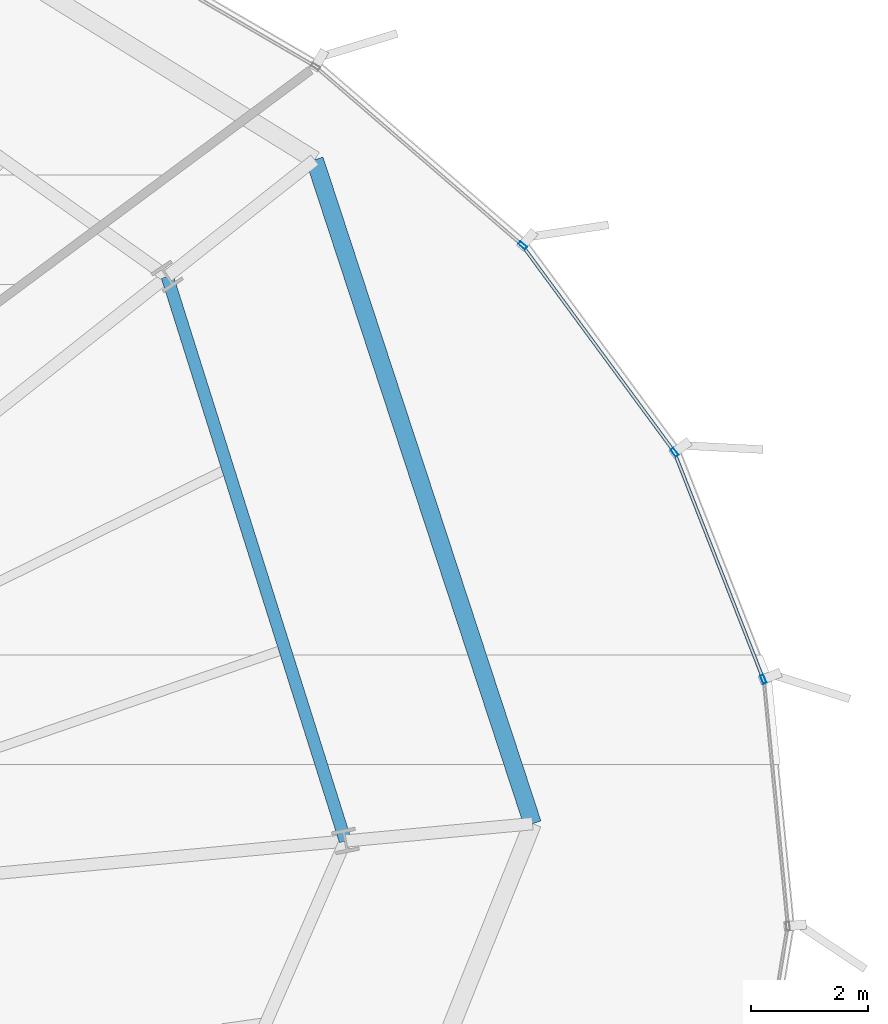
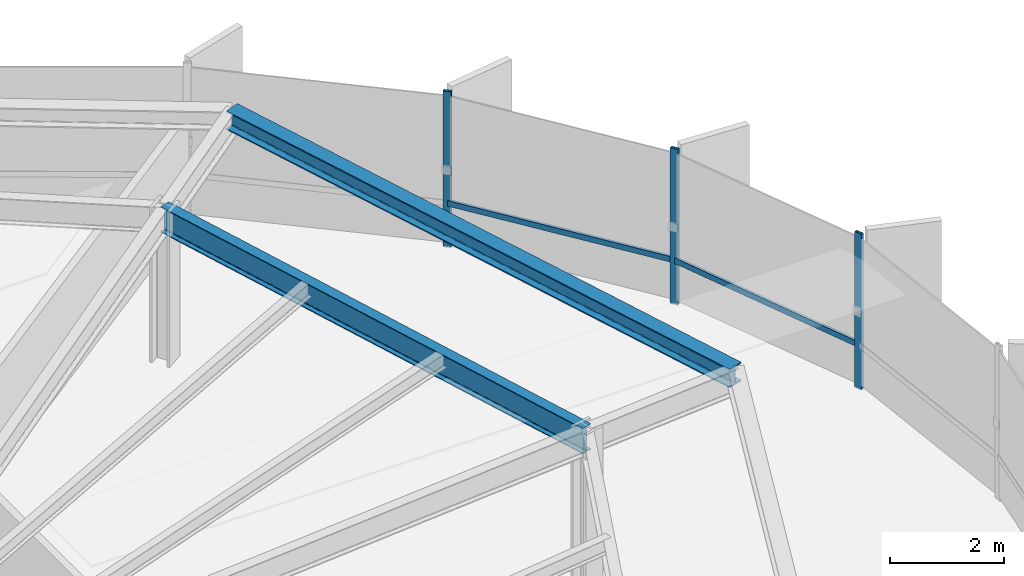
# One storey, part 25 of 35: 5 members, 2 beams, 1 element without a shape of its own.
"""IFC4 building model written with IfcOpenShell, lengths in metres."""

from ifc_helpers import new_model, si_unit, direction, frame, origin, origin_2d, place, context, subcontext, project, spatial, hollow_rectangle, i_section, extrude, source, transform, mapped, material, layer, layer_set, material_profile, profile_set, type_object, element, aggregate, save


model = new_model("IFC4")

# Units and contexts
model_context = context("Model", 3, precision=1e-05, world=origin(), true_north=direction((0.0, 1.0)))
body_context = subcontext(model_context, "Body", "Model", "MODEL_VIEW")
ifc_project = project(units=[si_unit("LENGTHUNIT", "METRE"), si_unit("AREAUNIT", "SQUARE_METRE"), si_unit("VOLUMEUNIT", "CUBIC_METRE"), si_unit("PLANEANGLEUNIT", "RADIAN"), si_unit("MASSUNIT", "GRAM", prefix="KILO"), si_unit("THERMODYNAMICTEMPERATUREUNIT", "KELVIN")], contexts=[model_context])

# Site, building, storey
site_placement = place(None, origin())
site = spatial("IfcSite", under=ifc_project, at=site_placement, CompositionType="ELEMENT")
building_placement = place(site_placement, origin())
building = spatial("IfcBuilding", under=site, at=building_placement, Name="Kethvar Cultural Tower", CompositionType="ELEMENT")
storey_placement = place(building_placement, frame((0.0, 0.0, 89.199951171875)))
storey = spatial("IfcBuildingStorey", under=building, at=storey_placement, Name="L21", CompositionType="ELEMENT", Elevation=89.199951171875)

# Beams
ifc_material_1 = material(Name="Steel S355J2", Category="steel")
ifc_material_profile_1 = material_profile(ifc_material_1, i_section(OverallWidth=0.2099609375, OverallDepth=0.550048828125, WebThickness=0.010986328125, FlangeThickness=0.01708984375, FilletRadius=0.02392578125, at=origin_2d()), Name="Steel S355J2 — IPE550")
ifc_profile_set_1 = profile_set([ifc_material_profile_1], Name="Steel S355J2 — IPE550")
beam_type_1 = type_object("IfcBeamType", Name="BM-IPE550", PredefinedType="BEAM", material=ifc_profile_set_1)
shared_shape_1 = source(origin(), body_context, "Body", "SweptSolid", [
    extrude(i_section(OverallWidth=0.2099609375, OverallDepth=0.550048828125, WebThickness=0.010986328125, FlangeThickness=0.01708984375, FilletRadius=0.02392578125, at=origin_2d()), origin(), (0.0, 0.0, 1.0), 10.079345703125),
])
beam_1_placement = place(storey_placement, frame((71.6025390625, 32.7333984375, 3.072998046875), z_axis=(-0.301007326566, 0.953621827222, 0.0), x_axis=(-0.953621827222, -0.301007326566, 0.0)))
element("IfcBeam", 1, at=beam_1_placement, inside=storey, type_object=beam_type_1, Name="L21 Column Ring Tie Beam CR-01", PredefinedType="BEAM", context=body_context, shape_type="MappedRepresentation", body=[
    mapped(shared_shape_1, transform((0.0, 0.0, 0.0), scale=1.0)),
])
ifc_material_profile_2 = material_profile(ifc_material_1, i_section(OverallWidth=0.300048828125, OverallDepth=0.39990234375, WebThickness=0.013427734375, FlangeThickness=0.02392578125, FilletRadius=0.027099609375, at=origin_2d()), Name="Steel S355J2 — HEB400")
ifc_profile_set_2 = profile_set([ifc_material_profile_2], Name="Steel S355J2 — HEB400")
beam_type_2 = type_object("IfcBeamType", Name="BM-SP400", PredefinedType="SPANDREL", material=ifc_profile_set_2)
shared_shape_2 = source(origin(), body_context, "Body", "SweptSolid", [
    extrude(i_section(OverallWidth=0.300048828125, OverallDepth=0.39990234375, WebThickness=0.013427734375, FlangeThickness=0.02392578125, FilletRadius=0.027099609375, at=origin_2d()), origin(), (0.0, 0.0, 1.0), 11.8935546875),
])
beam_2_placement = place(storey_placement, frame((74.788818359375, 33.02880859375, 3.14794921875), z_axis=(-0.311870604739, 0.95012458441, 0.0), x_axis=(-0.95012458441, -0.311870604739, 0.0)))
element("IfcBeam", 2, at=beam_2_placement, inside=storey, type_object=beam_type_2, Name="L21 Perimeter Spandrel Beam SP-01", PredefinedType="SPANDREL", context=body_context, shape_type="MappedRepresentation", body=[
    mapped(shared_shape_2, transform((0.0, 0.0, 0.0), scale=1.0)),
])

# Curtain wall, members
ifc_material_2 = material(Name="Aluminium 6063-T6", Category="aluminium")
ifc_layer = layer(ifc_material_2, 0.179931640625, Name="Aluminium 6063-T6", Category="aluminium")
ifc_layer_set = layer_set([ifc_layer], Name="Aluminium 6063-T6 (180 mm)")
curtain_wall_type = type_object("IfcCurtainWallType", Name="CW-SYS-03-Z2", PredefinedType="NOTDEFINED", material=ifc_layer_set)
curtain_wall_placement = place(storey_placement, origin())
curtain_wall = element("IfcCurtainWall", 3, at=curtain_wall_placement, inside=storey, type_object=curtain_wall_type, Name="L21 Curtain Wall Run 01", PredefinedType="NOTDEFINED")
ifc_material_profile_3 = material_profile(ifc_material_2, hollow_rectangle(XDim=0.06005859375, YDim=0.14990234375, WallThickness=0.0048828125, at=origin_2d()), Name="Aluminium 6063-T6 — RHS150x60x5")
ifc_profile_set_3 = profile_set([ifc_material_profile_3], Name="Aluminium 6063-T6 — RHS150x60x5")
member_type_1 = type_object("IfcMemberType", Name="CW-SYS-03-Z2-MUL", PredefinedType="MULLION", material=ifc_profile_set_3)
shared_shape_3 = source(origin(), body_context, "Body", "SweptSolid", [
    extrude(hollow_rectangle(XDim=0.06005859375, YDim=0.14990234375, WallThickness=0.0048828125, at=origin_2d()), origin(), (0.0, 0.0, 1.0), 3.35009765625),
])
member_1_placement = place(storey_placement, frame((78.71875, 35.486328125, 0.0), z_axis=(0.0, 0.0, 1.0), x_axis=(-0.930941140496, -0.365169266138, 0.0)))
member_1 = element("IfcMember", 4, at=member_1_placement, type_object=member_type_1, Name="CW-L21-R01 Mullion 1", PredefinedType="MULLION", context=body_context, shape_type="MappedRepresentation", body=[
    mapped(shared_shape_3, transform((0.0, 0.0, 0.0), scale=1.0)),
])
member_2_placement = place(storey_placement, frame((77.20703125, 39.35107421875, 0.0), z_axis=(0.0, 0.0, 1.0), x_axis=(-0.805369965116, -0.592772485266, 0.0)))
member_2 = element("IfcMember", 5, at=member_2_placement, type_object=member_type_1, Name="CW-L21-R01 Mullion 2", PredefinedType="MULLION", context=body_context, shape_type="MappedRepresentation", body=[
    mapped(shared_shape_3, transform((0.0, 0.0, 0.0), scale=1.0)),
])
member_3_placement = place(storey_placement, frame((74.61865234375, 42.872802734375, 0.0), z_axis=(0.0, 0.0, 1.0), x_axis=(-0.653447027704, -0.756972246509, 0.0)))
member_3 = element("IfcMember", 6, at=member_3_placement, type_object=member_type_1, Name="CW-L21-R01 Mullion 3", PredefinedType="MULLION", context=body_context, shape_type="MappedRepresentation", body=[
    mapped(shared_shape_3, transform((0.0, 0.0, 0.0), scale=1.0)),
])
ifc_material_profile_4 = material_profile(ifc_material_2, hollow_rectangle(XDim=0.054931640625, YDim=0.1201171875, WallThickness=0.00390625, at=origin_2d()), Name="Aluminium 6063-T6 — RHS120x55x4")
ifc_profile_set_4 = profile_set([ifc_material_profile_4], Name="Aluminium 6063-T6 — RHS120x55x4")
member_type_2 = type_object("IfcMemberType", Name="CW-SYS-03-Z2-TRN", PredefinedType="USERDEFINED", material=ifc_profile_set_4)
shared_shape_4 = source(origin(), body_context, "Body", "SweptSolid", [
    extrude(hollow_rectangle(XDim=0.054931640625, YDim=0.1201171875, WallThickness=0.00390625, at=origin_2d()), origin(), (0.0, 0.0, 1.0), 4.132080078125),
])
member_4_placement = place(storey_placement, frame((78.71728515625, 35.490234375, 0.949951171875), z_axis=(-0.36514777508, 0.930949570253, 0.0), x_axis=(-0.930949570253, -0.36514777508, 0.0)))
member_4 = element("IfcMember", 7, at=member_4_placement, type_object=member_type_2, Name="CW-L21-R01 Transom 1", ObjectType="TRANSOM", PredefinedType="USERDEFINED", context=body_context, shape_type="MappedRepresentation", body=[
    mapped(shared_shape_4, transform((0.0, 0.0, 0.0), scale=1.0)),
])
shared_shape_5 = source(origin(), body_context, "Body", "SweptSolid", [
    extrude(hollow_rectangle(XDim=0.054931640625, YDim=0.1201171875, WallThickness=0.00390625, at=origin_2d()), origin(), (0.0, 0.0, 1.0), 4.309814453125),
])
member_5_placement = place(storey_placement, frame((77.181396484375, 39.3857421875, 0.949951171875), z_axis=(-0.592769971068, 0.805371815623, 0.0), x_axis=(-0.805371815623, -0.592769971068, 0.0)))
member_5 = element("IfcMember", 8, at=member_5_placement, type_object=member_type_2, Name="CW-L21-R01 Transom 2", ObjectType="TRANSOM", PredefinedType="USERDEFINED", context=body_context, shape_type="MappedRepresentation", body=[
    mapped(shared_shape_5, transform((0.0, 0.0, 0.0), scale=1.0)),
])
aggregate(curtain_wall, [member_1, member_2, member_3, member_4, member_5])

save(model, "model.ifc")
